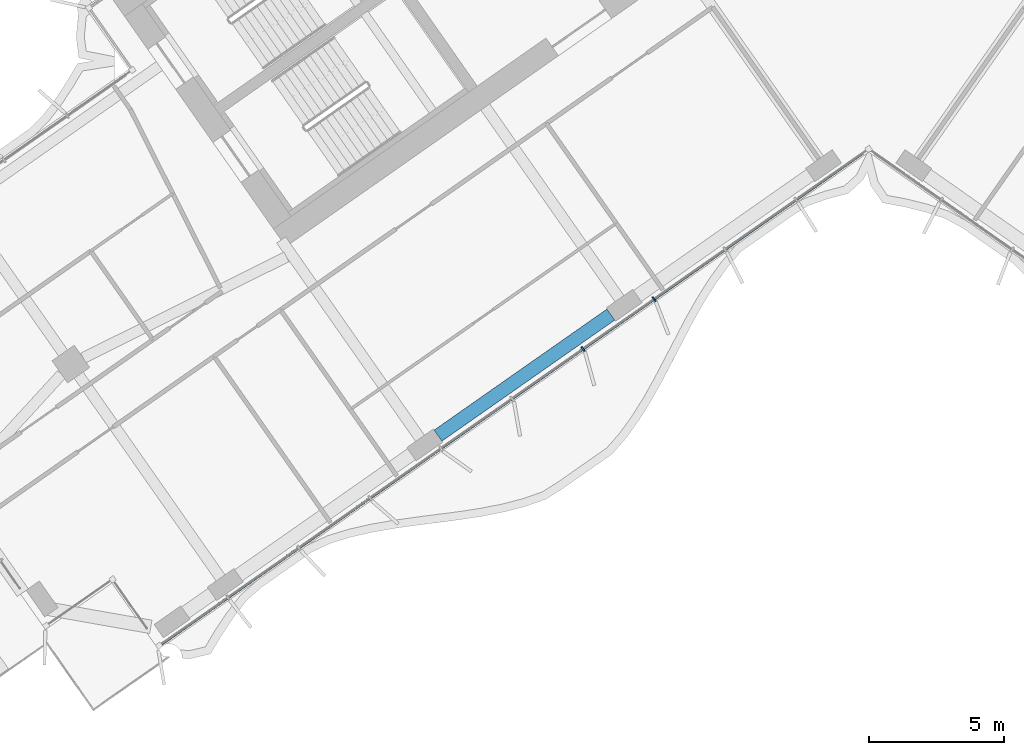
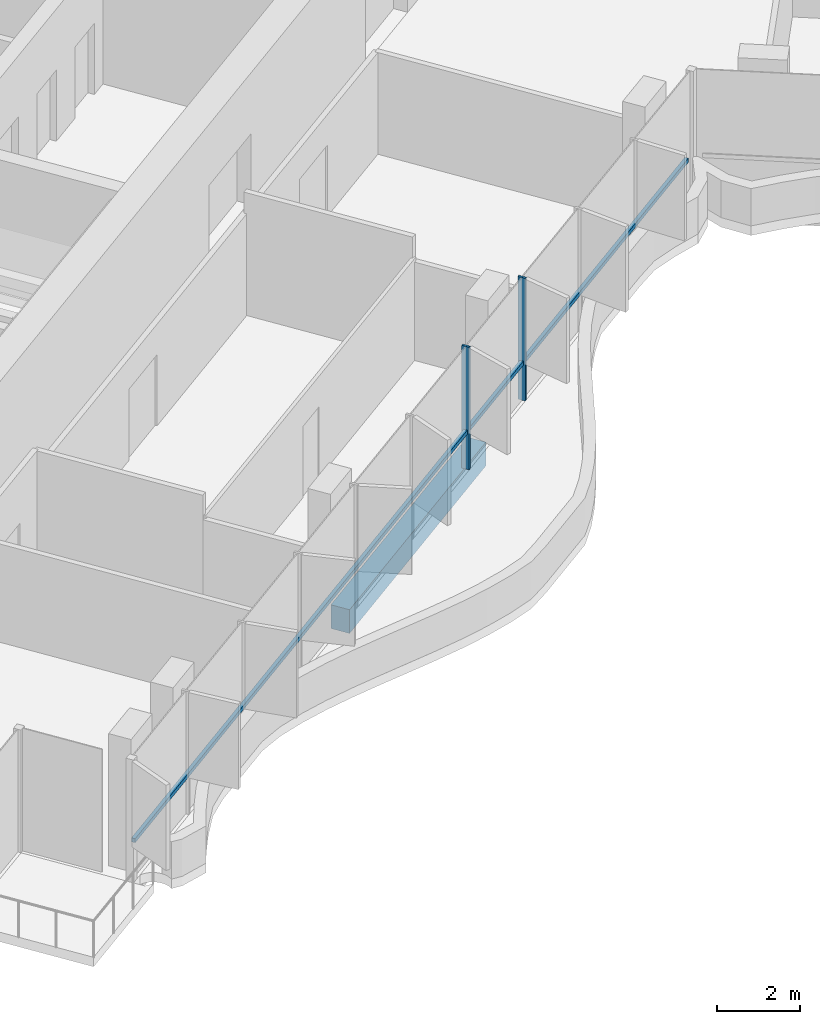
# One storey, part 3 of 24: 3 members, 1 beam, 1 element without a shape of its own.
"""IFC4 building model written with IfcOpenShell, lengths in metres."""

from ifc_helpers import new_model, si_unit, direction, frame, origin, origin_2d, place, context, subcontext, project, spatial, rectangle, extrude, material, material_profile, profile_set, type_object, element, aggregate, save


model = new_model("IFC4")

# Units and contexts
model_context = context("Model", 3, precision=1e-05, world=origin(), true_north=direction((0.0, 1.0)))
body_context = subcontext(model_context, "Body", "Model", "MODEL_VIEW")
ifc_project = project(units=[si_unit("LENGTHUNIT", "METRE"), si_unit("AREAUNIT", "SQUARE_METRE"), si_unit("VOLUMEUNIT", "CUBIC_METRE"), si_unit("PLANEANGLEUNIT", "RADIAN"), si_unit("MASSUNIT", "GRAM", prefix="KILO")], contexts=[model_context])

# Site, building, storey
site_placement = place(None, origin())
site = spatial("IfcSite", under=ifc_project, at=site_placement, CompositionType="ELEMENT")
building_placement = place(site_placement, origin())
building = spatial("IfcBuilding", under=site, at=building_placement, Name="Tel Ilan Convention Tower", CompositionType="ELEMENT")
storey_placement = place(building_placement, frame((0.0, 0.0, 167.10009765625)))
storey = spatial("IfcBuildingStorey", under=building, at=storey_placement, Name="L38", CompositionType="ELEMENT", Elevation=167.10009765625)

# Beam
ifc_material_1 = material(Name="Concrete C40/50", Category="concrete")
ifc_material_profile_1 = material_profile(ifc_material_1, rectangle(XDim=0.5, YDim=0.699951171875, at=origin_2d()), Name="RC 500x700")
ifc_profile_set_1 = profile_set([ifc_material_profile_1], Name="Concrete C40/50")
beam_type = type_object("IfcBeamType", Name="Beam RC 500x700 Concrete C40/50", PredefinedType="BEAM", material=ifc_profile_set_1)
beam_placement = place(storey_placement, frame((-9.529052734375, -18.819091796875, -0.630126953125), z_axis=(-0.819153977895, -0.573573674866, 0.0), x_axis=(0.573573674866, -0.819153977895, 0.0)))
element("IfcBeam", 1, at=beam_placement, inside=storey, type_object=beam_type, Name="L38 beam W-W-F2-W-F3", PredefinedType="BEAM", context=body_context, shape_type="SweptSolid", body=[
    extrude(rectangle(XDim=0.5, YDim=0.699951171875, at=origin_2d()), origin(), (0.0, 0.0, 1.0), 7.800048828125),
])

# Curtain wall, members
ifc_material_2 = material(Name="Aluminium, bronze anodised", Category="aluminium")
curtain_wall_type = type_object("IfcCurtainWallType", Name="CW4 STICK CURTAIN WALL, OFFICE TINTED GLASS", PredefinedType="NOTDEFINED", material=ifc_material_2)
curtain_wall_placement = place(storey_placement, origin())
curtain_wall = element("IfcCurtainWall", 2, at=curtain_wall_placement, inside=storey, type_object=curtain_wall_type, Name="Curtain wall CW4-30.04", PredefinedType="NOTDEFINED")
ifc_material_3 = material(Name="Aluminium, bronze anodised", Category="aluminium")
ifc_material_profile_2 = material_profile(ifc_material_3, rectangle(XDim=0.06005859375, YDim=0.199951171875, at=origin_2d()), Name="CW MULLION 60x200")
ifc_profile_set_2 = profile_set([ifc_material_profile_2], Name="Aluminium, bronze anodised")
member_type_1 = type_object("IfcMemberType", Name="CW MULLION 60x200", PredefinedType="MULLION", material=ifc_profile_set_2)
member_1_placement = place(storey_placement, frame((-10.55810546875, -20.0888671875, 0.0), z_axis=(0.0, 0.0, 1.0), x_axis=(0.819152044289, 0.573576436351, 0.0)))
member_1 = element("IfcMember", 3, at=member_1_placement, type_object=member_type_1, Name="Mullion", PredefinedType="MULLION", context=body_context, shape_type="SweptSolid", body=[
    extrude(rectangle(XDim=0.06005859375, YDim=0.199951171875, at=origin_2d()), origin(), (0.0, 0.0, 1.0), 3.619873046875),
])
member_2_placement = place(storey_placement, frame((-7.932861328125, -18.250732421875, 0.0), z_axis=(0.0, 0.0, 1.0), x_axis=(0.819152044289, 0.573576436351, 0.0)))
member_2 = element("IfcMember", 4, at=member_2_placement, type_object=member_type_1, Name="Mullion", PredefinedType="MULLION", context=body_context, shape_type="SweptSolid", body=[
    extrude(rectangle(XDim=0.06005859375, YDim=0.199951171875, at=origin_2d()), origin(), (0.0, 0.0, 1.0), 3.619873046875),
])
ifc_material_4 = material(Name="Aluminium, bronze anodised", Category="aluminium")
ifc_material_profile_3 = material_profile(ifc_material_4, rectangle(XDim=0.10009765625, YDim=0.1201171875, at=origin_2d()), Name="CW TRANSOM 100x120")
ifc_profile_set_3 = profile_set([ifc_material_profile_3], Name="Aluminium, bronze anodised")
member_type_2 = type_object("IfcMemberType", Name="CW TRANSOM 100x120", PredefinedType="USERDEFINED", material=ifc_profile_set_3)
member_3_placement = place(storey_placement, frame((-26.1455078125, -31.00341796875, 1.099853515625), z_axis=(0.819149281128, 0.573580382534, 0.0), x_axis=(-0.573580382534, 0.819149281128, 0.0)))
member_3 = element("IfcMember", 5, at=member_3_placement, type_object=member_type_2, Name="Transom", ObjectType="TRANSOM", PredefinedType="USERDEFINED", context=body_context, shape_type="SweptSolid", body=[
    extrude(rectangle(XDim=0.10009765625, YDim=0.1201171875, at=origin_2d()), origin(), (0.0, 0.0, 1.0), 31.64794921875),
])
aggregate(curtain_wall, [member_1, member_2, member_3])

save(model, "model.ifc")
